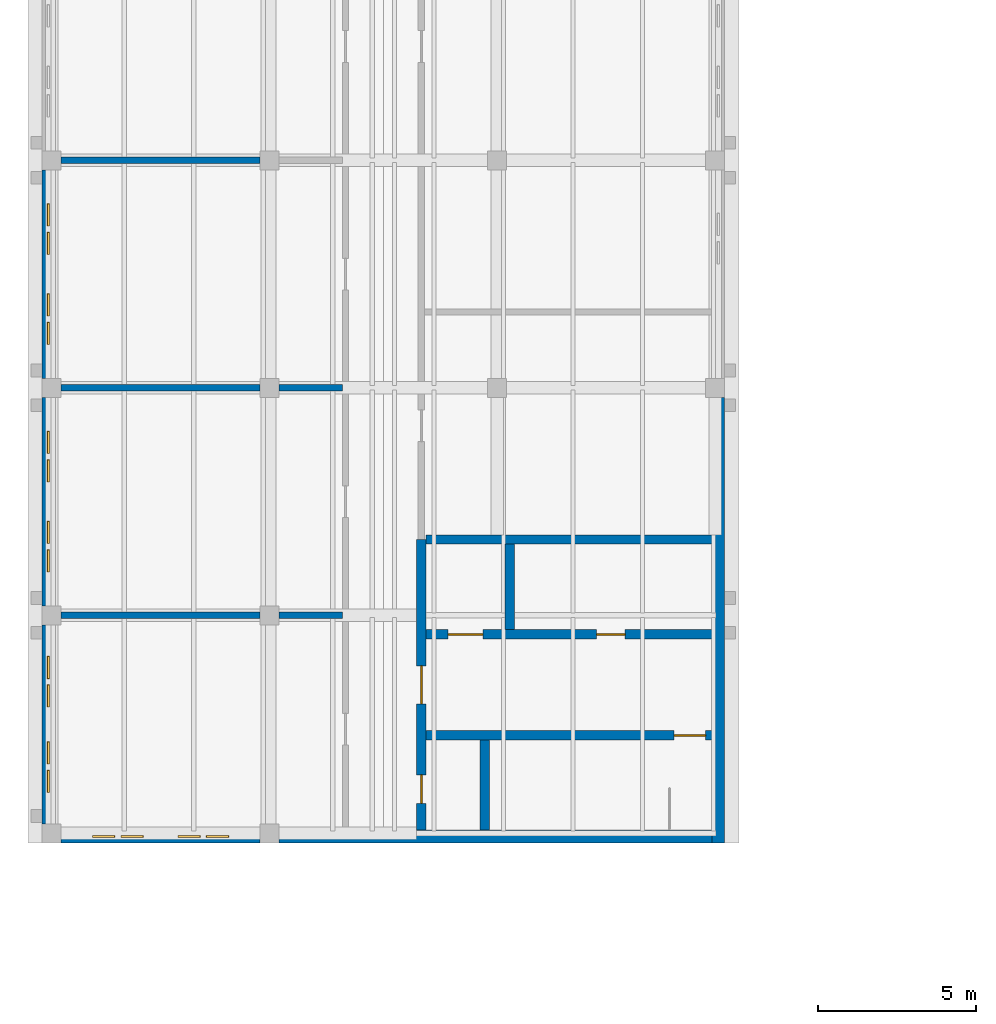
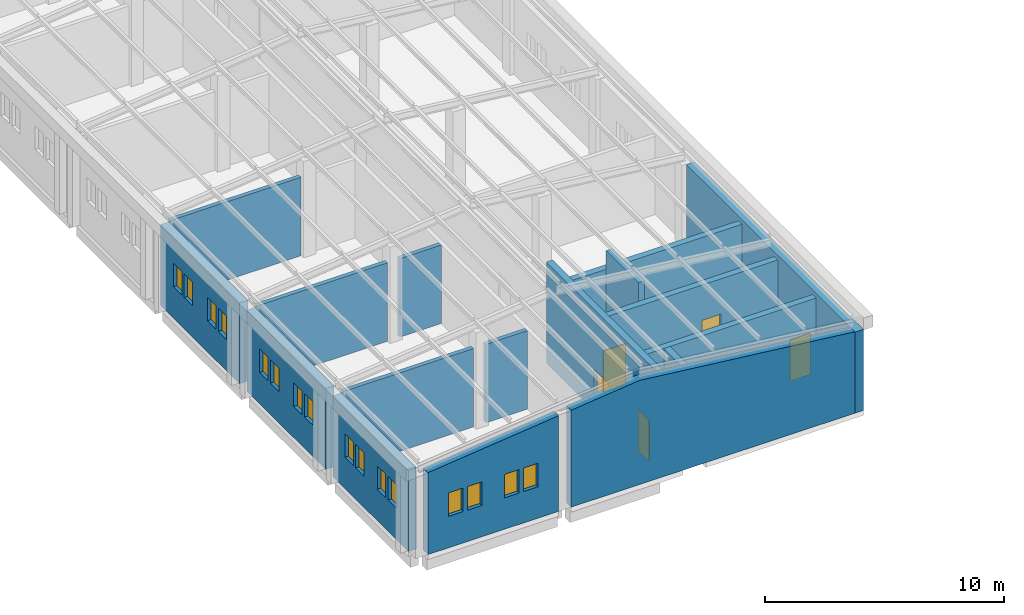
# One storey, part 30 of 48: 17 walls, 16 windows, 5 doors, 21 openings.
"""IFC4 building model written with IfcOpenShell, lengths in metres."""

import ifcopenshell
import ifcopenshell.guid

model = None  # the IFC model being written
_history = None  # IfcOwnerHistory: only IFC2X3 demands one
_inside = {}  # id of a spatial element -> (the spatial element, [elements in it])
_under = {}  # id of a project, library or spatial element -> (it, [spatial elements below it])
_declared = {}  # id of a project -> (the project, [libraries it declares])
_typed = {}  # id of a type object -> (the type object, [elements of that type])
_made_of = {}  # id of a material, layer set ... -> (it, [elements and type objects made of it])


def new_model(schema):
    """Start an empty IFC model of exactly this schema.

    Asked for "IFC4X3", IfcOpenShell would pick the latest addendum, in which some entities
    have other attributes; the version numbers below select the first issue.
    IFC2X3 requires an IfcOwnerHistory on every rooted entity: one is made here for all.
    """
    global model, _history
    if schema == "IFC4X3":
        model = ifcopenshell.file(schema_version=(4, 3, 0, 0))
    else:
        model = ifcopenshell.file(schema=schema)
    _inside.clear()
    _under.clear()
    _declared.clear()
    _typed.clear()
    _made_of.clear()
    _history = None
    if model.schema == "IFC2X3":
        org = make("IfcOrganization", Name="unknown")
        user = make(
            "IfcPersonAndOrganization",
            ThePerson=make("IfcPerson", FamilyName="unknown"),
            TheOrganization=org,
        )
        app = make(
            "IfcApplication",
            ApplicationDeveloper=org,
            Version="unknown",
            ApplicationFullName="unknown",
            ApplicationIdentifier="unknown",
        )
        _history = make(
            "IfcOwnerHistory",
            OwningUser=user,
            OwningApplication=app,
            ChangeAction="ADDED",
            CreationDate=0,
        )
    return model


def make(cls, **values):
    """One entity of the class cls with the attributes given. An attribute that is None is left unset."""
    return model.create_entity(
        cls, **{name: value for name, value in values.items() if value is not None}
    )


def rooted(cls, **values):
    """An entity with a GlobalId (a new one), such as an element, a storey or a relation."""
    return make(cls, GlobalId=ifcopenshell.guid.new(), OwnerHistory=_history, **values)


def si_unit(unit_type, name, prefix=None):
    """IfcSIUnit, for example si_unit("LENGTHUNIT", "METRE", prefix="MILLI")."""
    return make("IfcSIUnit", UnitType=unit_type, Prefix=prefix, Name=name)


def assignment(units):
    """IfcUnitAssignment: the units of a project."""
    return None if units is None else make("IfcUnitAssignment", Units=units)


def point(xyz):
    """IfcCartesianPoint."""
    return None if xyz is None else make("IfcCartesianPoint", Coordinates=xyz)


def direction(xyz):
    """IfcDirection."""
    return None if xyz is None else make("IfcDirection", DirectionRatios=xyz)


def frame(location, z_axis=None, x_axis=None):
    """IfcAxis2Placement3D, a coordinate frame: its origin and axes. An axis left out is left unset."""
    return make(
        "IfcAxis2Placement3D",
        Location=point(location),
        Axis=direction(z_axis),
        RefDirection=direction(x_axis),
    )


def frame_2d(location, x_axis=None):
    """IfcAxis2Placement2D, a coordinate frame in the plane: its origin and x axis."""
    return make(
        "IfcAxis2Placement2D", Location=point(location), RefDirection=direction(x_axis)
    )


def origin():
    """The frame at (0, 0, 0) with its axes left unset."""
    return frame((0.0, 0.0, 0.0))


def place(relative_to, where):
    """IfcLocalPlacement: puts the frame where relative to a parent placement (None: the world)."""
    return make(
        "IfcLocalPlacement", PlacementRelTo=relative_to, RelativePlacement=where
    )


def context(
    kind, dimensions, precision=None, world=None, true_north=None, identifier=None
):
    """IfcGeometricRepresentationContext, for example the 3D "Model" context."""
    return make(
        "IfcGeometricRepresentationContext",
        ContextIdentifier=identifier,
        ContextType=kind,
        CoordinateSpaceDimension=dimensions,
        Precision=precision,
        WorldCoordinateSystem=world,
        TrueNorth=true_north,
    )


def subcontext(parent, identifier, kind, view, scale=None):
    """IfcGeometricRepresentationSubContext, for example "Body" below "Model"."""
    return make(
        "IfcGeometricRepresentationSubContext",
        ContextIdentifier=identifier,
        ContextType=kind,
        ParentContext=parent,
        TargetScale=scale,
        TargetView=view,
    )


def project(units=None, contexts=None):
    """IfcProject with its units and contexts."""
    return rooted(
        "IfcProject",
        Name="project",
        RepresentationContexts=contexts,
        UnitsInContext=assignment(units),
    )


def spatial(cls, under=None, at=None, **own):
    """A site, building, storey or space (cls), placed at a placement, below another one or the project."""
    s = rooted(cls, ObjectPlacement=at, **own)
    if under is not None:
        _under.setdefault(under.id(), (under, []))[1].append(s)
    return s


def polyline(points):
    """IfcPolyline through the points."""
    return make("IfcPolyline", Points=[point(p) for p in points])


def profile(cls, at=None, kind="AREA", **sizes):
    """A parametric profile (cls). Its sizes go by their IFC names, for example OverallWidth=200.0."""
    return make(cls, ProfileType=kind, Position=at, **sizes)


def rectangle(**sizes):
    """IfcRectangleProfileDef."""
    return profile("IfcRectangleProfileDef", **sizes)


def outline(outer, holes=None, kind="AREA"):
    """IfcArbitraryClosedProfileDef: a profile drawn as a closed curve; with holes, ...WithVoids."""
    if holes is None:
        return make("IfcArbitraryClosedProfileDef", ProfileType=kind, OuterCurve=outer)
    return make(
        "IfcArbitraryProfileDefWithVoids",
        ProfileType=kind,
        OuterCurve=outer,
        InnerCurves=holes,
    )


def extrude(swept, where, along, depth):
    """IfcExtrudedAreaSolid: the profile swept, set in the frame where, extruded along a direction by depth."""
    return make(
        "IfcExtrudedAreaSolid",
        SweptArea=swept,
        Position=where,
        ExtrudedDirection=direction(along),
        Depth=depth,
    )


def shape(context_of_items, identifier, shape_type, items):
    """IfcShapeRepresentation: the items that make up one representation, for example the "Body"."""
    return make(
        "IfcShapeRepresentation",
        ContextOfItems=context_of_items,
        RepresentationIdentifier=identifier,
        RepresentationType=shape_type,
        Items=items,
    )


def material(Name=None, Category=None):
    """IfcMaterial."""
    return make("IfcMaterial", Name=Name, Category=Category)


def layer(
    of_material, thickness, ventilated=None, Name=None, Category=None, Priority=None
):
    """IfcMaterialLayer: one layer of a wall or slab, of a material (None: an air gap)."""
    return make(
        "IfcMaterialLayer",
        Material=of_material,
        LayerThickness=thickness,
        IsVentilated=ventilated,
        Name=Name,
        Category=Category,
        Priority=Priority,
    )


def layer_set(layers, Name=None):
    """IfcMaterialLayerSet."""
    return make("IfcMaterialLayerSet", MaterialLayers=layers, LayerSetName=Name)


def made_of(thing, what):
    """Note that an element or type object is made of a material, layer set ...; save() writes the relation."""
    if what is not None:
        _made_of.setdefault(what.id(), (what, []))[1].append(thing)
    return thing


def type_object(cls, material=None, **own):
    """A type object (cls), such as IfcWallType, which elements share."""
    return made_of(rooted(cls, **own), material)


def element(
    cls,
    number,
    at=None,
    inside=None,
    cuts=None,
    type_object=None,
    material=None,
    context=None,
    identifier="Body",
    shape_type=None,
    held_by="IfcProductDefinitionShape",
    body=None,
    shapes=None,
    **own,
):
    """One element of the class cls, such as IfcWall. Its Tag is "e" and its number.

    at: its placement. inside: the storey or other place that contains it. cuts: it is an
    opening in that element (IfcRelVoidsElement). A single representation is given by context,
    identifier, shape_type and body (its items); several are given by shapes. held_by: the class
    of the entity that holds the representations. save() writes the other relations.
    """
    e = rooted(cls, Tag="e%d" % number, ObjectPlacement=at, **own)
    if body is not None:
        shapes = [shape(context, identifier, shape_type, body)]
    if shapes is not None:
        e.Representation = make(held_by, Representations=shapes)
    if inside is not None:
        _inside.setdefault(inside.id(), (inside, []))[1].append(e)
    if cuts is not None:
        rooted(
            "IfcRelVoidsElement", RelatingBuildingElement=cuts, RelatedOpeningElement=e
        )
    if type_object is not None:
        _typed.setdefault(type_object.id(), (type_object, []))[1].append(e)
    return made_of(e, material)


def fill(opening, filler):
    """IfcRelFillsElement: the door or window that sits in an opening."""
    return rooted(
        "IfcRelFillsElement",
        RelatingOpeningElement=opening,
        RelatedBuildingElement=filler,
    )


def aggregate(whole, parts):
    """IfcRelAggregates: a whole, such as a stair, and the parts it consists of."""
    return rooted("IfcRelAggregates", RelatingObject=whole, RelatedObjects=parts)


def save(model, path):
    """Write the relations noted so far, then the file.

    IfcRelAggregates (storeys below a building ...), IfcRelContainedInSpatialStructure (elements
    in a storey), IfcRelDefinesByType, IfcRelAssociatesMaterial and IfcRelDeclares: one each for
    every whole, place, type object, material and project.
    """
    for whole, parts in _under.values():
        aggregate(whole, parts)
    for where, things in _inside.values():
        rooted(
            "IfcRelContainedInSpatialStructure",
            RelatedElements=things,
            RelatingStructure=where,
        )
    for kind, things in _typed.values():
        rooted("IfcRelDefinesByType", RelatedObjects=things, RelatingType=kind)
    for what, things in _made_of.values():
        rooted("IfcRelAssociatesMaterial", RelatedObjects=things, RelatingMaterial=what)
    for by, libraries in _declared.values():
        rooted("IfcRelDeclares", RelatingContext=by, RelatedDefinitions=libraries)
    model.write(path)


model = new_model("IFC4")

# Units and contexts
model_context = context("Model", 3, precision=1e-05, world=origin(), true_north=direction((0.0, 1.0)))
body_context = subcontext(model_context, "Body", "Model", "MODEL_VIEW")
ifc_project = project(units=[si_unit("LENGTHUNIT", "METRE"), si_unit("AREAUNIT", "SQUARE_METRE"), si_unit("VOLUMEUNIT", "CUBIC_METRE"), si_unit("PLANEANGLEUNIT", "RADIAN"), si_unit("MASSUNIT", "GRAM", prefix="KILO")], contexts=[model_context])

# Site, building, storey
site_placement = place(None, origin())
site = spatial("IfcSite", under=ifc_project, at=site_placement, CompositionType="ELEMENT")
building_placement = place(site_placement, origin())
building = spatial("IfcBuilding", under=site, at=building_placement, Name="Alderwick Market Hall", CompositionType="ELEMENT")
storey_placement = place(building_placement, frame((0.0, 0.0, 14.39990234375)))
storey = spatial("IfcBuildingStorey", under=building, at=storey_placement, Name="L02", CompositionType="ELEMENT", Elevation=14.39990234375)

# Wall, openings, windows
ifc_material_1 = material(Name="Face brick", Category="masonry")
ifc_layer_1 = layer(ifc_material_1, 0.39990234375)
ifc_layer_set_1 = layer_set([ifc_layer_1], Name="Face brick")
wall_type_1 = type_object("IfcWallType", Name="B Brick Cavity Wall 400", PredefinedType="SOLIDWALL", material=ifc_layer_set_1)
wall_1_placement = place(storey_placement, frame((22.199951171875, 29.0, 0.0), z_axis=(0.0, 0.0, 1.0), x_axis=(1.0, 0.0, 0.0)))
wall_1 = element("IfcWall", 1, at=wall_1_placement, inside=storey, type_object=wall_type_1, Name="B.S.wall.L02.000", PredefinedType="SOLIDWALL", context=body_context, shape_type="SweptSolid", body=[
    extrude(outline(polyline([(0.0, 0.0), (6.300048828125, 0.0), (6.300048828125, 4.877685546875), (0.0, 4.177490234375), (0.0, 0.0)])), frame((0.0, 0.199951171875, 0.0), z_axis=(0.0, -1.0, 0.0), x_axis=(1.0, 0.0, 0.0)), (0.0, 0.0, 1.0), 0.39990234375),
])
opening_1_placement = place(wall_1_placement, frame((1.0, 0.0, 1.60009765625)))
opening_1 = element("IfcOpeningElement", 2, at=opening_1_placement, cuts=wall_1, Name="Opening B-W148", PredefinedType="OPENING", context=body_context, shape_type="SweptSolid", body=[
    extrude(rectangle(XDim=0.699951171875, YDim=1.199951171875, at=frame_2d((0.35009765625, 0.60009765625))), frame((0.0, 0.2099609375, 0.0), z_axis=(0.0, -1.0, 0.0), x_axis=(1.0, 0.0, 0.0)), (0.0, 0.0, 1.0), 0.419921875),
])
opening_2_placement = place(wall_1_placement, frame((1.89990234375, 0.0, 1.60009765625)))
opening_2 = element("IfcOpeningElement", 3, at=opening_2_placement, cuts=wall_1, Name="Opening B-W149", PredefinedType="OPENING", context=body_context, shape_type="SweptSolid", body=[
    extrude(rectangle(XDim=0.699951171875, YDim=1.199951171875, at=frame_2d((0.35009765625, 0.60009765625))), frame((0.0, 0.2099609375, 0.0), z_axis=(0.0, -1.0, 0.0), x_axis=(1.0, 0.0, 0.0)), (0.0, 0.0, 1.0), 0.419921875),
])
opening_3_placement = place(wall_1_placement, frame((3.699951171875, 0.0, 1.60009765625)))
opening_3 = element("IfcOpeningElement", 4, at=opening_3_placement, cuts=wall_1, Name="Opening B-W150", PredefinedType="OPENING", context=body_context, shape_type="SweptSolid", body=[
    extrude(rectangle(XDim=0.699951171875, YDim=1.199951171875, at=frame_2d((0.35009765625, 0.60009765625))), frame((0.0, 0.2099609375, 0.0), z_axis=(0.0, -1.0, 0.0), x_axis=(1.0, 0.0, 0.0)), (0.0, 0.0, 1.0), 0.419921875),
])
opening_4_placement = place(wall_1_placement, frame((4.60009765625, 0.0, 1.60009765625)))
opening_4 = element("IfcOpeningElement", 5, at=opening_4_placement, cuts=wall_1, Name="Opening B-W151", PredefinedType="OPENING", context=body_context, shape_type="SweptSolid", body=[
    extrude(rectangle(XDim=0.699951171875, YDim=1.199951171875, at=frame_2d((0.35009765625, 0.60009765625))), frame((0.0, 0.2099609375, 0.0), z_axis=(0.0, -1.0, 0.0), x_axis=(1.0, 0.0, 0.0)), (0.0, 0.0, 1.0), 0.419921875),
])
ifc_material_2 = material(Name="Aluminium frame", Category="aluminium")
window_type = type_object("IfcWindowType", Name="B Attic Window 700x1200", PartitioningType="SINGLE_PANEL", PredefinedType="WINDOW", material=ifc_material_2)
window_1_placement = place(opening_1_placement, origin())
window_1 = element("IfcWindow", 6, at=window_1_placement, inside=storey, type_object=window_type, Name="Window B-W148", OverallHeight=1.199951171875, OverallWidth=0.699951171875, PartitioningType="SINGLE_PANEL", PredefinedType="WINDOW", context=body_context, shape_type="SweptSolid", body=[
    extrude(rectangle(XDim=0.699951171875, YDim=1.199951171875, at=frame_2d((0.35009765625, 0.60009765625))), frame((0.0, 0.030029296875, 0.0), z_axis=(0.0, -1.0, 0.0), x_axis=(1.0, 0.0, 0.0)), (0.0, 0.0, 1.0), 0.06005859375),
])
fill(opening_1, window_1)
window_2_placement = place(opening_2_placement, origin())
window_2 = element("IfcWindow", 7, at=window_2_placement, inside=storey, type_object=window_type, Name="Window B-W149", OverallHeight=1.199951171875, OverallWidth=0.699951171875, PartitioningType="SINGLE_PANEL", PredefinedType="WINDOW", context=body_context, shape_type="SweptSolid", body=[
    extrude(rectangle(XDim=0.699951171875, YDim=1.199951171875, at=frame_2d((0.35009765625, 0.60009765625))), frame((0.0, 0.030029296875, 0.0), z_axis=(0.0, -1.0, 0.0), x_axis=(1.0, 0.0, 0.0)), (0.0, 0.0, 1.0), 0.06005859375),
])
fill(opening_2, window_2)
window_3_placement = place(opening_3_placement, origin())
window_3 = element("IfcWindow", 8, at=window_3_placement, inside=storey, type_object=window_type, Name="Window B-W150", OverallHeight=1.199951171875, OverallWidth=0.699951171875, PartitioningType="SINGLE_PANEL", PredefinedType="WINDOW", context=body_context, shape_type="SweptSolid", body=[
    extrude(rectangle(XDim=0.699951171875, YDim=1.199951171875, at=frame_2d((0.35009765625, 0.60009765625))), frame((0.0, 0.030029296875, 0.0), z_axis=(0.0, -1.0, 0.0), x_axis=(1.0, 0.0, 0.0)), (0.0, 0.0, 1.0), 0.06005859375),
])
fill(opening_3, window_3)
window_4_placement = place(opening_4_placement, origin())
window_4 = element("IfcWindow", 9, at=window_4_placement, inside=storey, type_object=window_type, Name="Window B-W151", OverallHeight=1.199951171875, OverallWidth=0.699951171875, PartitioningType="SINGLE_PANEL", PredefinedType="WINDOW", context=body_context, shape_type="SweptSolid", body=[
    extrude(rectangle(XDim=0.699951171875, YDim=1.199951171875, at=frame_2d((0.35009765625, 0.60009765625))), frame((0.0, 0.030029296875, 0.0), z_axis=(0.0, -1.0, 0.0), x_axis=(1.0, 0.0, 0.0)), (0.0, 0.0, 1.0), 0.06005859375),
])
fill(opening_4, window_4)

wall_2_placement = place(storey_placement, frame((21.800048828125, 29.39990234375, 0.0), z_axis=(0.0, 0.0, 1.0), x_axis=(0.0, 1.0, 0.0)))
wall_2 = element("IfcWall", 10, at=wall_2_placement, inside=storey, type_object=wall_type_1, Name="B.S.wall.L02.020", PredefinedType="SOLIDWALL", context=body_context, shape_type="SweptSolid", body=[
    extrude(rectangle(XDim=6.300048828125, YDim=0.39990234375, at=frame_2d((3.14990234375, 0.0))), origin(), (0.0, 0.0, 1.0), 4.133056640625),
])
opening_5_placement = place(wall_2_placement, frame((1.0, 0.0, 1.60009765625)))
opening_5 = element("IfcOpeningElement", 11, at=opening_5_placement, cuts=wall_2, Name="Opening B-W156", PredefinedType="OPENING", context=body_context, shape_type="SweptSolid", body=[
    extrude(rectangle(XDim=0.699951171875, YDim=1.199951171875, at=frame_2d((0.35009765625, 0.60009765625))), frame((0.0, 0.2099609375, 0.0), z_axis=(0.0, -1.0, 0.0), x_axis=(1.0, 0.0, 0.0)), (0.0, 0.0, 1.0), 0.419921875),
])
opening_6_placement = place(wall_2_placement, frame((1.89990234375, 0.0, 1.60009765625)))
opening_6 = element("IfcOpeningElement", 12, at=opening_6_placement, cuts=wall_2, Name="Opening B-W157", PredefinedType="OPENING", context=body_context, shape_type="SweptSolid", body=[
    extrude(rectangle(XDim=0.699951171875, YDim=1.199951171875, at=frame_2d((0.35009765625, 0.60009765625))), frame((0.0, 0.2099609375, 0.0), z_axis=(0.0, -1.0, 0.0), x_axis=(1.0, 0.0, 0.0)), (0.0, 0.0, 1.0), 0.419921875),
])
opening_7_placement = place(wall_2_placement, frame((3.699951171875, 0.0, 1.60009765625)))
opening_7 = element("IfcOpeningElement", 13, at=opening_7_placement, cuts=wall_2, Name="Opening B-W158", PredefinedType="OPENING", context=body_context, shape_type="SweptSolid", body=[
    extrude(rectangle(XDim=0.699951171875, YDim=1.199951171875, at=frame_2d((0.35009765625, 0.60009765625))), frame((0.0, 0.2099609375, 0.0), z_axis=(0.0, -1.0, 0.0), x_axis=(1.0, 0.0, 0.0)), (0.0, 0.0, 1.0), 0.419921875),
])
opening_8_placement = place(wall_2_placement, frame((4.60009765625, 0.0, 1.60009765625)))
opening_8 = element("IfcOpeningElement", 14, at=opening_8_placement, cuts=wall_2, Name="Opening B-W159", PredefinedType="OPENING", context=body_context, shape_type="SweptSolid", body=[
    extrude(rectangle(XDim=0.699951171875, YDim=1.199951171875, at=frame_2d((0.35009765625, 0.60009765625))), frame((0.0, 0.2099609375, 0.0), z_axis=(0.0, -1.0, 0.0), x_axis=(1.0, 0.0, 0.0)), (0.0, 0.0, 1.0), 0.419921875),
])
window_5_placement = place(opening_5_placement, origin())
window_5 = element("IfcWindow", 15, at=window_5_placement, inside=storey, type_object=window_type, Name="Window B-W156", OverallHeight=1.199951171875, OverallWidth=0.699951171875, PartitioningType="SINGLE_PANEL", PredefinedType="WINDOW", context=body_context, shape_type="SweptSolid", body=[
    extrude(rectangle(XDim=0.699951171875, YDim=1.199951171875, at=frame_2d((0.35009765625, 0.60009765625))), frame((0.0, 0.030029296875, 0.0), z_axis=(0.0, -1.0, 0.0), x_axis=(1.0, 0.0, 0.0)), (0.0, 0.0, 1.0), 0.06005859375),
])
fill(opening_5, window_5)
window_6_placement = place(opening_6_placement, origin())
window_6 = element("IfcWindow", 16, at=window_6_placement, inside=storey, type_object=window_type, Name="Window B-W157", OverallHeight=1.199951171875, OverallWidth=0.699951171875, PartitioningType="SINGLE_PANEL", PredefinedType="WINDOW", context=body_context, shape_type="SweptSolid", body=[
    extrude(rectangle(XDim=0.699951171875, YDim=1.199951171875, at=frame_2d((0.35009765625, 0.60009765625))), frame((0.0, 0.030029296875, 0.0), z_axis=(0.0, -1.0, 0.0), x_axis=(1.0, 0.0, 0.0)), (0.0, 0.0, 1.0), 0.06005859375),
])
fill(opening_6, window_6)
window_7_placement = place(opening_7_placement, origin())
window_7 = element("IfcWindow", 17, at=window_7_placement, inside=storey, type_object=window_type, Name="Window B-W158", OverallHeight=1.199951171875, OverallWidth=0.699951171875, PartitioningType="SINGLE_PANEL", PredefinedType="WINDOW", context=body_context, shape_type="SweptSolid", body=[
    extrude(rectangle(XDim=0.699951171875, YDim=1.199951171875, at=frame_2d((0.35009765625, 0.60009765625))), frame((0.0, 0.030029296875, 0.0), z_axis=(0.0, -1.0, 0.0), x_axis=(1.0, 0.0, 0.0)), (0.0, 0.0, 1.0), 0.06005859375),
])
fill(opening_7, window_7)
window_8_placement = place(opening_8_placement, origin())
window_8 = element("IfcWindow", 18, at=window_8_placement, inside=storey, type_object=window_type, Name="Window B-W159", OverallHeight=1.199951171875, OverallWidth=0.699951171875, PartitioningType="SINGLE_PANEL", PredefinedType="WINDOW", context=body_context, shape_type="SweptSolid", body=[
    extrude(rectangle(XDim=0.699951171875, YDim=1.199951171875, at=frame_2d((0.35009765625, 0.60009765625))), frame((0.0, 0.030029296875, 0.0), z_axis=(0.0, -1.0, 0.0), x_axis=(1.0, 0.0, 0.0)), (0.0, 0.0, 1.0), 0.06005859375),
])
fill(opening_8, window_8)

wall_3_placement = place(storey_placement, frame((21.800048828125, 36.300048828125, 0.0), z_axis=(0.0, 0.0, 1.0), x_axis=(0.0, 1.0, 0.0)))
wall_3 = element("IfcWall", 19, at=wall_3_placement, inside=storey, type_object=wall_type_1, Name="B.S.wall.L02.021", PredefinedType="SOLIDWALL", context=body_context, shape_type="SweptSolid", body=[
    extrude(rectangle(XDim=6.599853515625, YDim=0.39990234375, at=frame_2d((3.2998046875, 0.0))), origin(), (0.0, 0.0, 1.0), 4.133056640625),
])
opening_9_placement = place(wall_3_placement, frame((1.074951171875, 0.0, 1.60009765625)))
opening_9 = element("IfcOpeningElement", 20, at=opening_9_placement, cuts=wall_3, Name="Opening B-W160", PredefinedType="OPENING", context=body_context, shape_type="SweptSolid", body=[
    extrude(rectangle(XDim=0.699951171875, YDim=1.199951171875, at=frame_2d((0.35009765625, 0.60009765625))), frame((0.0, 0.2099609375, 0.0), z_axis=(0.0, -1.0, 0.0), x_axis=(1.0, 0.0, 0.0)), (0.0, 0.0, 1.0), 0.419921875),
])
opening_10_placement = place(wall_3_placement, frame((1.97509765625, 0.0, 1.60009765625)))
opening_10 = element("IfcOpeningElement", 21, at=opening_10_placement, cuts=wall_3, Name="Opening B-W161", PredefinedType="OPENING", context=body_context, shape_type="SweptSolid", body=[
    extrude(rectangle(XDim=0.699951171875, YDim=1.199951171875, at=frame_2d((0.35009765625, 0.60009765625))), frame((0.0, 0.2099609375, 0.0), z_axis=(0.0, -1.0, 0.0), x_axis=(1.0, 0.0, 0.0)), (0.0, 0.0, 1.0), 0.419921875),
])
opening_11_placement = place(wall_3_placement, frame((3.925048828125, 0.0, 1.60009765625)))
opening_11 = element("IfcOpeningElement", 22, at=opening_11_placement, cuts=wall_3, Name="Opening B-W162", PredefinedType="OPENING", context=body_context, shape_type="SweptSolid", body=[
    extrude(rectangle(XDim=0.699951171875, YDim=1.199951171875, at=frame_2d((0.35009765625, 0.60009765625))), frame((0.0, 0.2099609375, 0.0), z_axis=(0.0, -1.0, 0.0), x_axis=(1.0, 0.0, 0.0)), (0.0, 0.0, 1.0), 0.419921875),
])
opening_12_placement = place(wall_3_placement, frame((4.824951171875, 0.0, 1.60009765625)))
opening_12 = element("IfcOpeningElement", 23, at=opening_12_placement, cuts=wall_3, Name="Opening B-W163", PredefinedType="OPENING", context=body_context, shape_type="SweptSolid", body=[
    extrude(rectangle(XDim=0.699951171875, YDim=1.199951171875, at=frame_2d((0.35009765625, 0.60009765625))), frame((0.0, 0.2099609375, 0.0), z_axis=(0.0, -1.0, 0.0), x_axis=(1.0, 0.0, 0.0)), (0.0, 0.0, 1.0), 0.419921875),
])
window_9_placement = place(opening_9_placement, origin())
window_9 = element("IfcWindow", 24, at=window_9_placement, inside=storey, type_object=window_type, Name="Window B-W160", OverallHeight=1.199951171875, OverallWidth=0.699951171875, PartitioningType="SINGLE_PANEL", PredefinedType="WINDOW", context=body_context, shape_type="SweptSolid", body=[
    extrude(rectangle(XDim=0.699951171875, YDim=1.199951171875, at=frame_2d((0.35009765625, 0.60009765625))), frame((0.0, 0.030029296875, 0.0), z_axis=(0.0, -1.0, 0.0), x_axis=(1.0, 0.0, 0.0)), (0.0, 0.0, 1.0), 0.06005859375),
])
fill(opening_9, window_9)
window_10_placement = place(opening_10_placement, origin())
window_10 = element("IfcWindow", 25, at=window_10_placement, inside=storey, type_object=window_type, Name="Window B-W161", OverallHeight=1.199951171875, OverallWidth=0.699951171875, PartitioningType="SINGLE_PANEL", PredefinedType="WINDOW", context=body_context, shape_type="SweptSolid", body=[
    extrude(rectangle(XDim=0.699951171875, YDim=1.199951171875, at=frame_2d((0.35009765625, 0.60009765625))), frame((0.0, 0.030029296875, 0.0), z_axis=(0.0, -1.0, 0.0), x_axis=(1.0, 0.0, 0.0)), (0.0, 0.0, 1.0), 0.06005859375),
])
fill(opening_10, window_10)
window_11_placement = place(opening_11_placement, origin())
window_11 = element("IfcWindow", 26, at=window_11_placement, inside=storey, type_object=window_type, Name="Window B-W162", OverallHeight=1.199951171875, OverallWidth=0.699951171875, PartitioningType="SINGLE_PANEL", PredefinedType="WINDOW", context=body_context, shape_type="SweptSolid", body=[
    extrude(rectangle(XDim=0.699951171875, YDim=1.199951171875, at=frame_2d((0.35009765625, 0.60009765625))), frame((0.0, 0.030029296875, 0.0), z_axis=(0.0, -1.0, 0.0), x_axis=(1.0, 0.0, 0.0)), (0.0, 0.0, 1.0), 0.06005859375),
])
fill(opening_11, window_11)
window_12_placement = place(opening_12_placement, origin())
window_12 = element("IfcWindow", 27, at=window_12_placement, inside=storey, type_object=window_type, Name="Window B-W163", OverallHeight=1.199951171875, OverallWidth=0.699951171875, PartitioningType="SINGLE_PANEL", PredefinedType="WINDOW", context=body_context, shape_type="SweptSolid", body=[
    extrude(rectangle(XDim=0.699951171875, YDim=1.199951171875, at=frame_2d((0.35009765625, 0.60009765625))), frame((0.0, 0.030029296875, 0.0), z_axis=(0.0, -1.0, 0.0), x_axis=(1.0, 0.0, 0.0)), (0.0, 0.0, 1.0), 0.06005859375),
])
fill(opening_12, window_12)

wall_4_placement = place(storey_placement, frame((21.800048828125, 43.5, 0.0), z_axis=(0.0, 0.0, 1.0), x_axis=(0.0, 1.0, 0.0)))
wall_4 = element("IfcWall", 28, at=wall_4_placement, inside=storey, type_object=wall_type_1, Name="B.S.wall.L02.022", PredefinedType="SOLIDWALL", context=body_context, shape_type="SweptSolid", body=[
    extrude(rectangle(XDim=6.60009765625, YDim=0.39990234375, at=frame_2d((3.300048828125, 0.0))), origin(), (0.0, 0.0, 1.0), 4.133056640625),
])
opening_13_placement = place(wall_4_placement, frame((1.074951171875, 0.0, 1.60009765625)))
opening_13 = element("IfcOpeningElement", 29, at=opening_13_placement, cuts=wall_4, Name="Opening B-W164", PredefinedType="OPENING", context=body_context, shape_type="SweptSolid", body=[
    extrude(rectangle(XDim=0.699951171875, YDim=1.199951171875, at=frame_2d((0.35009765625, 0.60009765625))), frame((0.0, 0.2099609375, 0.0), z_axis=(0.0, -1.0, 0.0), x_axis=(1.0, 0.0, 0.0)), (0.0, 0.0, 1.0), 0.419921875),
])
opening_14_placement = place(wall_4_placement, frame((1.97509765625, 0.0, 1.60009765625)))
opening_14 = element("IfcOpeningElement", 30, at=opening_14_placement, cuts=wall_4, Name="Opening B-W165", PredefinedType="OPENING", context=body_context, shape_type="SweptSolid", body=[
    extrude(rectangle(XDim=0.699951171875, YDim=1.199951171875, at=frame_2d((0.35009765625, 0.60009765625))), frame((0.0, 0.2099609375, 0.0), z_axis=(0.0, -1.0, 0.0), x_axis=(1.0, 0.0, 0.0)), (0.0, 0.0, 1.0), 0.419921875),
])
opening_15_placement = place(wall_4_placement, frame((3.925048828125, 0.0, 1.60009765625)))
opening_15 = element("IfcOpeningElement", 31, at=opening_15_placement, cuts=wall_4, Name="Opening B-W166", PredefinedType="OPENING", context=body_context, shape_type="SweptSolid", body=[
    extrude(rectangle(XDim=0.699951171875, YDim=1.199951171875, at=frame_2d((0.35009765625, 0.60009765625))), frame((0.0, 0.2099609375, 0.0), z_axis=(0.0, -1.0, 0.0), x_axis=(1.0, 0.0, 0.0)), (0.0, 0.0, 1.0), 0.419921875),
])
opening_16_placement = place(wall_4_placement, frame((4.824951171875, 0.0, 1.60009765625)))
opening_16 = element("IfcOpeningElement", 32, at=opening_16_placement, cuts=wall_4, Name="Opening B-W167", PredefinedType="OPENING", context=body_context, shape_type="SweptSolid", body=[
    extrude(rectangle(XDim=0.699951171875, YDim=1.199951171875, at=frame_2d((0.35009765625, 0.60009765625))), frame((0.0, 0.2099609375, 0.0), z_axis=(0.0, -1.0, 0.0), x_axis=(1.0, 0.0, 0.0)), (0.0, 0.0, 1.0), 0.419921875),
])
window_13_placement = place(opening_13_placement, origin())
window_13 = element("IfcWindow", 33, at=window_13_placement, inside=storey, type_object=window_type, Name="Window B-W164", OverallHeight=1.199951171875, OverallWidth=0.699951171875, PartitioningType="SINGLE_PANEL", PredefinedType="WINDOW", context=body_context, shape_type="SweptSolid", body=[
    extrude(rectangle(XDim=0.699951171875, YDim=1.199951171875, at=frame_2d((0.35009765625, 0.60009765625))), frame((0.0, 0.030029296875, 0.0), z_axis=(0.0, -1.0, 0.0), x_axis=(1.0, 0.0, 0.0)), (0.0, 0.0, 1.0), 0.06005859375),
])
fill(opening_13, window_13)
window_14_placement = place(opening_14_placement, origin())
window_14 = element("IfcWindow", 34, at=window_14_placement, inside=storey, type_object=window_type, Name="Window B-W165", OverallHeight=1.199951171875, OverallWidth=0.699951171875, PartitioningType="SINGLE_PANEL", PredefinedType="WINDOW", context=body_context, shape_type="SweptSolid", body=[
    extrude(rectangle(XDim=0.699951171875, YDim=1.199951171875, at=frame_2d((0.35009765625, 0.60009765625))), frame((0.0, 0.030029296875, 0.0), z_axis=(0.0, -1.0, 0.0), x_axis=(1.0, 0.0, 0.0)), (0.0, 0.0, 1.0), 0.06005859375),
])
fill(opening_14, window_14)
window_15_placement = place(opening_15_placement, origin())
window_15 = element("IfcWindow", 35, at=window_15_placement, inside=storey, type_object=window_type, Name="Window B-W166", OverallHeight=1.199951171875, OverallWidth=0.699951171875, PartitioningType="SINGLE_PANEL", PredefinedType="WINDOW", context=body_context, shape_type="SweptSolid", body=[
    extrude(rectangle(XDim=0.699951171875, YDim=1.199951171875, at=frame_2d((0.35009765625, 0.60009765625))), frame((0.0, 0.030029296875, 0.0), z_axis=(0.0, -1.0, 0.0), x_axis=(1.0, 0.0, 0.0)), (0.0, 0.0, 1.0), 0.06005859375),
])
fill(opening_15, window_15)
window_16_placement = place(opening_16_placement, origin())
window_16 = element("IfcWindow", 36, at=window_16_placement, inside=storey, type_object=window_type, Name="Window B-W167", OverallHeight=1.199951171875, OverallWidth=0.699951171875, PartitioningType="SINGLE_PANEL", PredefinedType="WINDOW", context=body_context, shape_type="SweptSolid", body=[
    extrude(rectangle(XDim=0.699951171875, YDim=1.199951171875, at=frame_2d((0.35009765625, 0.60009765625))), frame((0.0, 0.030029296875, 0.0), z_axis=(0.0, -1.0, 0.0), x_axis=(1.0, 0.0, 0.0)), (0.0, 0.0, 1.0), 0.06005859375),
])
fill(opening_16, window_16)

# Walls
ifc_material_3 = material(Name="Concrete masonry 3000 psi", Category="masonry")
ifc_layer_2 = layer(ifc_material_3, 0.199951171875)
ifc_layer_set_2 = layer_set([ifc_layer_2], Name="Concrete masonry 3000 psi")
wall_type_2 = type_object("IfcWallType", Name="B Masonry Partition 200", PredefinedType="PARTITIONING", material=ifc_layer_set_2)
wall_5_placement = place(storey_placement, frame((22.199951171875, 36.0, 0.0), z_axis=(0.0, 0.0, 1.0), x_axis=(1.0, 0.0, 0.0)))
element("IfcWall", 37, at=wall_5_placement, inside=storey, type_object=wall_type_2, Name="B.S.wall.L02.004", PredefinedType="PARTITIONING", context=body_context, shape_type="SweptSolid", body=[
    extrude(rectangle(XDim=6.300048828125, YDim=0.199951171875, at=frame_2d((3.14990234375, 0.0))), origin(), (0.0, 0.0, 1.0), 4.0),
])
wall_6_placement = place(storey_placement, frame((29.10009765625, 36.0, 0.0), z_axis=(0.0, 0.0, 1.0), x_axis=(1.0, 0.0, 0.0)))
element("IfcWall", 38, at=wall_6_placement, inside=storey, type_object=wall_type_2, Name="B.S.wall.L02.005", PredefinedType="PARTITIONING", context=body_context, shape_type="SweptSolid", body=[
    extrude(rectangle(XDim=2.0, YDim=0.199951171875, at=frame_2d((1.0, 0.0))), origin(), (0.0, 0.0, 1.0), 4.0),
])
wall_7_placement = place(storey_placement, frame((22.199951171875, 43.199951171875, 0.0), z_axis=(0.0, 0.0, 1.0), x_axis=(1.0, 0.0, 0.0)))
element("IfcWall", 39, at=wall_7_placement, inside=storey, type_object=wall_type_2, Name="B.S.wall.L02.007", PredefinedType="PARTITIONING", context=body_context, shape_type="SweptSolid", body=[
    extrude(rectangle(XDim=6.300048828125, YDim=0.199951171875, at=frame_2d((3.14990234375, 0.0))), origin(), (0.0, 0.0, 1.0), 4.0),
])
wall_8_placement = place(storey_placement, frame((29.10009765625, 43.199951171875, 0.0), z_axis=(0.0, 0.0, 1.0), x_axis=(1.0, 0.0, 0.0)))
element("IfcWall", 40, at=wall_8_placement, inside=storey, type_object=wall_type_2, Name="B.S.wall.L02.008", PredefinedType="PARTITIONING", context=body_context, shape_type="SweptSolid", body=[
    extrude(rectangle(XDim=2.0, YDim=0.199951171875, at=frame_2d((1.0, 0.0))), origin(), (0.0, 0.0, 1.0), 4.0),
])
wall_9_placement = place(storey_placement, frame((22.199951171875, 50.39990234375, 0.0), z_axis=(0.0, 0.0, 1.0), x_axis=(1.0, 0.0, 0.0)))
element("IfcWall", 41, at=wall_9_placement, inside=storey, type_object=wall_type_2, Name="B.S.wall.L02.010", PredefinedType="PARTITIONING", context=body_context, shape_type="SweptSolid", body=[
    extrude(rectangle(XDim=6.300048828125, YDim=0.199951171875, at=frame_2d((3.14990234375, 0.0))), origin(), (0.0, 0.0, 1.0), 4.0),
])
ifc_material_4 = material(Name="Concrete 5000 psi (f'c 35 MPa)", Category="concrete")
ifc_layer_3 = layer(ifc_material_4, 0.39990234375)
ifc_layer_set_3 = layer_set([ifc_layer_3], Name="Concrete 5000 psi (f'c 35 MPa)")
wall_type_3 = type_object("IfcWallType", Name="B RC Core Facade Wall 400", PredefinedType="SHEAR", material=ifc_layer_set_3)
wall_10_placement = place(storey_placement, frame((29.10009765625, 29.0, 0.0), z_axis=(0.0, 0.0, 1.0), x_axis=(1.0, 0.0, 0.0)))
element("IfcWall", 42, at=wall_10_placement, inside=storey, type_object=wall_type_3, Name="B.S.wall.L02.001", PredefinedType="SHEAR", context=body_context, shape_type="SweptSolid", body=[
    extrude(outline(polyline([(0.0, 0.0), (13.699951171875, 0.0), (13.699951171875, 4.1552734375), (3.300048828125, 5.310791015625), (0.0, 4.944091796875), (0.0, 0.0)])), frame((0.0, 0.199951171875, 0.0), z_axis=(0.0, -1.0, 0.0), x_axis=(1.0, 0.0, 0.0)), (0.0, 0.0, 1.0), 0.39990234375),
])
wall_11_placement = place(storey_placement, frame((43.0, 28.800048828125, 0.0), z_axis=(0.0, 0.0, 1.0), x_axis=(0.0, 1.0, 0.0)))
element("IfcWall", 43, at=wall_11_placement, inside=storey, type_object=wall_type_3, Name="B.S.wall.L02.033", PredefinedType="SHEAR", context=body_context, shape_type="SweptSolid", body=[
    extrude(rectangle(XDim=14.099853515625, YDim=0.39990234375, at=frame_2d((7.0498046875, 0.0))), origin(), (0.0, 0.0, 1.0), 4.133056640625),
])

# Wall, opening, door
ifc_layer_4 = layer(ifc_material_4, 0.300048828125)
ifc_layer_set_4 = layer_set([ifc_layer_4], Name="Concrete 5000 psi (f'c 35 MPa)")
wall_type_4 = type_object("IfcWallType", Name="B RC Core Wall 300", PredefinedType="SHEAR", material=ifc_layer_set_4)
wall_12_placement = place(storey_placement, frame((33.75, 32.199951171875, 0.0), z_axis=(0.0, 0.0, 1.0), x_axis=(1.0, 0.0, 0.0)))
wall_12 = element("IfcWall", 44, at=wall_12_placement, inside=storey, type_object=wall_type_4, Name="B.S.wall.L02.002", PredefinedType="SHEAR", context=body_context, shape_type="SweptSolid", body=[
    extrude(rectangle(XDim=9.050048828125, YDim=0.300048828125, at=frame_2d((4.52490234375, 0.0))), origin(), (0.0, 0.0, 1.0), 3.900146484375),
])
opening_17_placement = place(wall_12_placement, frame((7.85009765625, 0.0, 0.0)))
opening_17 = element("IfcOpeningElement", 45, at=opening_17_placement, cuts=wall_12, Name="Opening B-D136", PredefinedType="OPENING", context=body_context, shape_type="SweptSolid", body=[
    extrude(rectangle(XDim=1.0, YDim=2.10009765625, at=frame_2d((0.5, 1.050048828125))), frame((0.0, 0.159912109375, 0.0), z_axis=(0.0, -1.0, 0.0), x_axis=(1.0, 0.0, 0.0)), (0.0, 0.0, 1.0), 0.320068359375),
])
ifc_material_5 = material(Name="Hollow metal fire door and frame")
door_type_1 = type_object("IfcDoorType", Name="B Fire Door 1000x2100", OperationType="SINGLE_SWING_LEFT", PredefinedType="DOOR", material=ifc_material_5)
door_1_placement = place(opening_17_placement, origin())
door_1 = element("IfcDoor", 46, at=door_1_placement, inside=storey, type_object=door_type_1, Name="Stair S-1 lobby door", OperationType="SINGLE_SWING_RIGHT", OverallHeight=2.10009765625, OverallWidth=1.0, PredefinedType="DOOR", context=body_context, shape_type="SweptSolid", body=[
    extrude(rectangle(XDim=1.0, YDim=2.10009765625, at=frame_2d((0.5, 1.050048828125))), frame((0.0, 0.02490234375, 0.0), z_axis=(0.0, -1.0, 0.0), x_axis=(1.0, 0.0, 0.0)), (0.0, 0.0, 1.0), 0.050048828125),
])
fill(opening_17, door_1)

# Wall, openings, doors
wall_13_placement = place(storey_placement, frame((33.75, 35.39990234375, 0.0), z_axis=(0.0, 0.0, 1.0), x_axis=(1.0, 0.0, 0.0)))
wall_13 = element("IfcWall", 47, at=wall_13_placement, inside=storey, type_object=wall_type_4, Name="B.S.wall.L02.003", PredefinedType="SHEAR", context=body_context, shape_type="SweptSolid", body=[
    extrude(rectangle(XDim=9.050048828125, YDim=0.300048828125, at=frame_2d((4.52490234375, 0.0))), origin(), (0.0, 0.0, 1.0), 3.900146484375),
])
opening_18_placement = place(wall_13_placement, frame((0.699951171875, 0.0, 0.0)))
opening_18 = element("IfcOpeningElement", 48, at=opening_18_placement, cuts=wall_13, Name="Opening B-D139", PredefinedType="OPENING", context=body_context, shape_type="SweptSolid", body=[
    extrude(rectangle(XDim=1.10009765625, YDim=2.10009765625, at=frame_2d((0.550048828125, 1.050048828125))), frame((0.0, 0.159912109375, 0.0), z_axis=(0.0, -1.0, 0.0), x_axis=(1.0, 0.0, 0.0)), (0.0, 0.0, 1.0), 0.320068359375),
])
opening_19_placement = place(wall_13_placement, frame((5.39990234375, 0.0, 0.0)))
opening_19 = element("IfcOpeningElement", 49, at=opening_19_placement, cuts=wall_13, Name="Opening B-D140", PredefinedType="OPENING", context=body_context, shape_type="SweptSolid", body=[
    extrude(rectangle(XDim=0.89990234375, YDim=2.10009765625, at=frame_2d((0.449951171875, 1.050048828125))), frame((0.0, 0.159912109375, 0.0), z_axis=(0.0, -1.0, 0.0), x_axis=(1.0, 0.0, 0.0)), (0.0, 0.0, 1.0), 0.320068359375),
])
ifc_material_6 = material(Name="Hollow metal door and frame")
door_type_2 = type_object("IfcDoorType", Name="B Door 900x2100", OperationType="SINGLE_SWING_LEFT", PredefinedType="DOOR", material=ifc_material_6)
door_2_placement = place(opening_19_placement, origin())
door_2 = element("IfcDoor", 50, at=door_2_placement, inside=storey, type_object=door_type_2, Name="Cleaners store door", OperationType="SINGLE_SWING_RIGHT", OverallHeight=2.10009765625, OverallWidth=0.89990234375, PredefinedType="DOOR", context=body_context, shape_type="SweptSolid", body=[
    extrude(rectangle(XDim=0.89990234375, YDim=2.10009765625, at=frame_2d((0.449951171875, 1.050048828125))), frame((0.0, 0.02490234375, 0.0), z_axis=(0.0, -1.0, 0.0), x_axis=(1.0, 0.0, 0.0)), (0.0, 0.0, 1.0), 0.050048828125),
])
fill(opening_19, door_2)
ifc_material_7 = material(Name="Stainless steel landing door", Category="steel")
door_type_3 = type_object("IfcDoorType", Name="B Lift Landing Door 1100x2100", OperationType="SLIDING_TO_LEFT", PredefinedType="DOOR", material=ifc_material_7)
door_3_placement = place(opening_18_placement, origin())
door_3 = element("IfcDoor", 51, at=door_3_placement, inside=storey, type_object=door_type_3, Name="Lift S-1 landing door L02", OperationType="SLIDING_TO_LEFT", OverallHeight=2.10009765625, OverallWidth=1.10009765625, PredefinedType="DOOR", context=body_context, shape_type="SweptSolid", body=[
    extrude(rectangle(XDim=1.10009765625, YDim=2.10009765625, at=frame_2d((0.550048828125, 1.050048828125))), frame((0.0, 0.02490234375, 0.0), z_axis=(0.0, -1.0, 0.0), x_axis=(1.0, 0.0, 0.0)), (0.0, 0.0, 1.0), 0.050048828125),
])
fill(opening_18, door_3)

# Wall
wall_14_placement = place(storey_placement, frame((33.75, 38.39990234375, 0.0), z_axis=(0.0, 0.0, 1.0), x_axis=(1.0, 0.0, 0.0)))
element("IfcWall", 52, at=wall_14_placement, inside=storey, type_object=wall_type_4, Name="B.S.wall.L02.006", PredefinedType="SHEAR", context=body_context, shape_type="SweptSolid", body=[
    extrude(rectangle(XDim=9.050048828125, YDim=0.300048828125, at=frame_2d((4.52490234375, 0.0))), origin(), (0.0, 0.0, 1.0), 3.900146484375),
])

# Wall, openings, doors
wall_15_placement = place(storey_placement, frame((33.60009765625, 29.199951171875, 0.0), z_axis=(0.0, 0.0, 1.0), x_axis=(0.0, 1.0, 0.0)))
wall_15 = element("IfcWall", 53, at=wall_15_placement, inside=storey, type_object=wall_type_4, Name="B.S.wall.L02.027", PredefinedType="SHEAR", context=body_context, shape_type="SweptSolid", body=[
    extrude(rectangle(XDim=9.199951171875, YDim=0.300048828125, at=frame_2d((4.60009765625, 0.0))), origin(), (0.0, 0.0, 1.0), 5.160888671875),
])
opening_20_placement = place(wall_15_placement, frame((4.0, 0.0, 0.0)))
opening_20 = element("IfcOpeningElement", 54, at=opening_20_placement, cuts=wall_15, Name="Opening B-D137", PredefinedType="OPENING", context=body_context, shape_type="SweptSolid", body=[
    extrude(rectangle(XDim=1.199951171875, YDim=2.10009765625, at=frame_2d((0.60009765625, 1.050048828125))), frame((0.0, 0.159912109375, 0.0), z_axis=(0.0, -1.0, 0.0), x_axis=(1.0, 0.0, 0.0)), (0.0, 0.0, 1.0), 0.320068359375),
])
opening_21_placement = place(wall_15_placement, frame((0.85009765625, 0.0, 0.0)))
opening_21 = element("IfcOpeningElement", 55, at=opening_21_placement, cuts=wall_15, Name="Opening B-D138", PredefinedType="OPENING", context=body_context, shape_type="SweptSolid", body=[
    extrude(rectangle(XDim=0.89990234375, YDim=2.10009765625, at=frame_2d((0.449951171875, 1.050048828125))), frame((0.0, 0.159912109375, 0.0), z_axis=(0.0, -1.0, 0.0), x_axis=(1.0, 0.0, 0.0)), (0.0, 0.0, 1.0), 0.320068359375),
])
door_type_4 = type_object("IfcDoorType", Name="B Fire Door 1200x2100", OperationType="SINGLE_SWING_LEFT", PredefinedType="DOOR", material=ifc_material_5)
door_4_placement = place(opening_20_placement, origin())
door_4 = element("IfcDoor", 56, at=door_4_placement, inside=storey, type_object=door_type_4, Name="Lobby S-1 corridor door", OperationType="SINGLE_SWING_LEFT", OverallHeight=2.10009765625, OverallWidth=1.199951171875, PredefinedType="DOOR", context=body_context, shape_type="SweptSolid", body=[
    extrude(rectangle(XDim=1.199951171875, YDim=2.10009765625, at=frame_2d((0.60009765625, 1.050048828125))), frame((0.0, 0.02490234375, 0.0), z_axis=(0.0, -1.0, 0.0), x_axis=(1.0, 0.0, 0.0)), (0.0, 0.0, 1.0), 0.050048828125),
])
fill(opening_20, door_4)
door_type_5 = type_object("IfcDoorType", Name="B Fire Door 900x2100", OperationType="SINGLE_SWING_LEFT", PredefinedType="DOOR", material=ifc_material_5)
door_5_placement = place(opening_21_placement, origin())
door_5 = element("IfcDoor", 57, at=door_5_placement, inside=storey, type_object=door_type_5, Name="Riser S-1 access door", OperationType="SINGLE_SWING_RIGHT", OverallHeight=2.10009765625, OverallWidth=0.89990234375, PredefinedType="DOOR", context=body_context, shape_type="SweptSolid", body=[
    extrude(rectangle(XDim=0.89990234375, YDim=2.10009765625, at=frame_2d((0.449951171875, 1.050048828125))), frame((0.0, 0.02490234375, 0.0), z_axis=(0.0, -1.0, 0.0), x_axis=(1.0, 0.0, 0.0)), (0.0, 0.0, 1.0), 0.050048828125),
])
fill(opening_21, door_5)

# Walls
wall_16_placement = place(storey_placement, frame((35.60009765625, 29.199951171875, 0.0), z_axis=(0.0, 0.0, 1.0), x_axis=(0.0, 1.0, 0.0)))
element("IfcWall", 58, at=wall_16_placement, inside=storey, type_object=wall_type_4, Name="B.S.wall.L02.030", PredefinedType="SHEAR", context=body_context, shape_type="SweptSolid", body=[
    extrude(rectangle(XDim=2.85009765625, YDim=0.300048828125, at=frame_2d((1.425048828125, 0.0))), origin(), (0.0, 0.0, 1.0), 3.900146484375),
])
wall_17_placement = place(storey_placement, frame((36.39990234375, 35.550048828125, 0.0), z_axis=(0.0, 0.0, 1.0), x_axis=(0.0, 1.0, 0.0)))
element("IfcWall", 59, at=wall_17_placement, inside=storey, type_object=wall_type_4, Name="B.S.wall.L02.032", PredefinedType="SHEAR", context=body_context, shape_type="SweptSolid", body=[
    extrude(rectangle(XDim=2.699951171875, YDim=0.300048828125, at=frame_2d((1.35009765625, 0.0))), origin(), (0.0, 0.0, 1.0), 4.849853515625),
])

save(model, "model.ifc")
